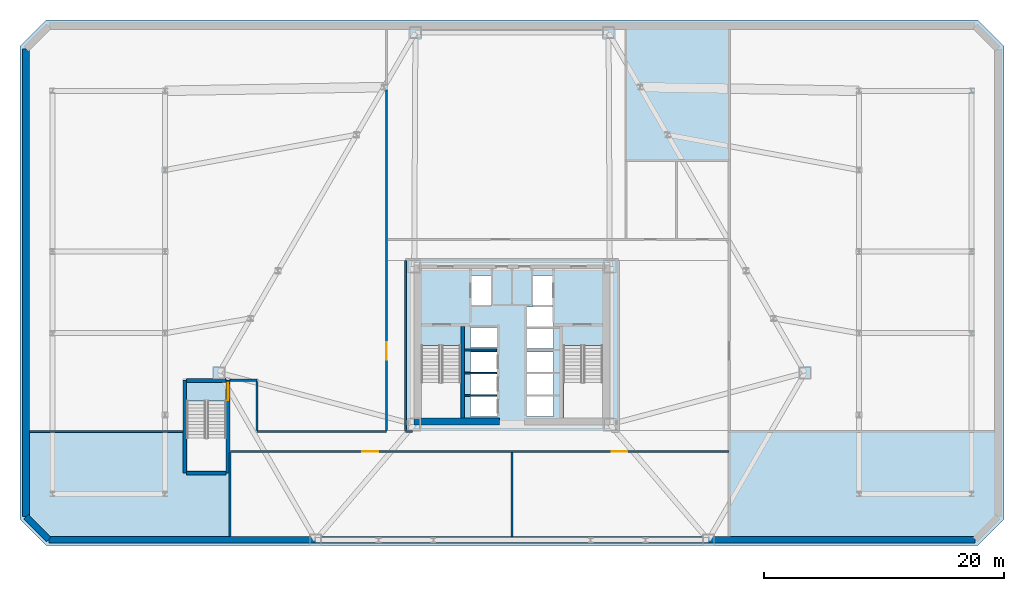
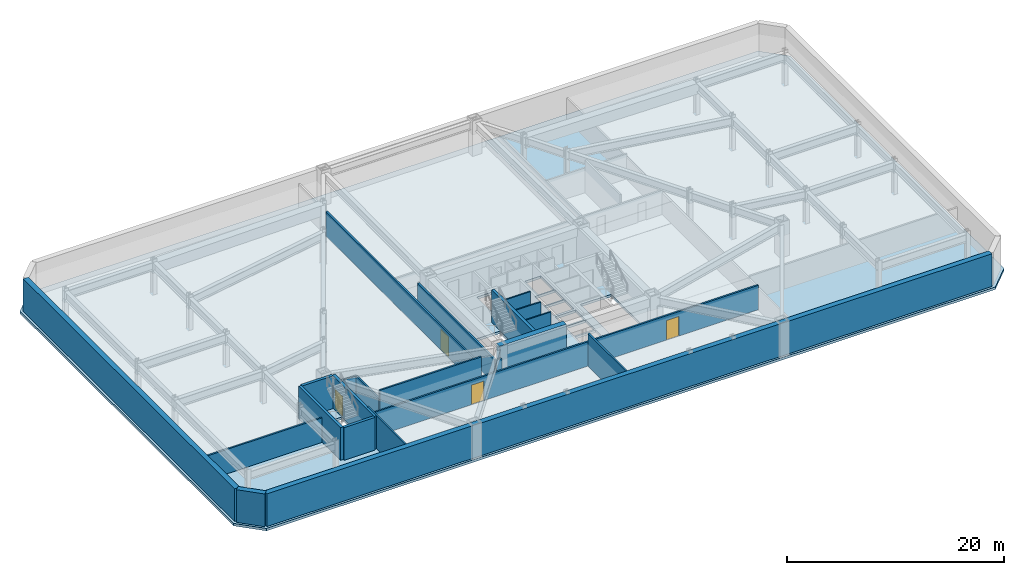
# One storey, part 4 of 10: 22 walls, 4 doors, 1 slab, 4 openings.
"""IFC4 building model written with IfcOpenShell, lengths in metres."""

from ifc_helpers import new_model, si_unit, direction, frame, frame_2d, origin, place, context, subcontext, project, spatial, polyline, rectangle, outline, extrude, material, layer, layer_set, type_object, element, fill, save


model = new_model("IFC4")

# Units and contexts
model_context = context("Model", 3, precision=1e-05, world=origin(), true_north=direction((0.0, 1.0)))
body_context = subcontext(model_context, "Body", "Model", "MODEL_VIEW")
ifc_project = project(units=[si_unit("LENGTHUNIT", "METRE"), si_unit("AREAUNIT", "SQUARE_METRE"), si_unit("VOLUMEUNIT", "CUBIC_METRE"), si_unit("PLANEANGLEUNIT", "RADIAN"), si_unit("MASSUNIT", "GRAM", prefix="KILO")], contexts=[model_context])

# Site, building, storey
site_placement = place(None, origin())
site = spatial("IfcSite", under=ifc_project, at=site_placement, CompositionType="ELEMENT")
building_placement = place(site_placement, origin())
building = spatial("IfcBuilding", under=site, at=building_placement, Name="Oramaril Tower", CompositionType="ELEMENT")
storey_placement = place(building_placement, frame((0.0, 0.0, -4.0)))
storey = spatial("IfcBuildingStorey", under=building, at=storey_placement, Name="B01", CompositionType="ELEMENT", Elevation=-4.0)

# Slab
ifc_material_1 = material(Name="Concrete C50/60", Category="concrete")
ifc_layer_1 = layer(ifc_material_1, 0.280029296875)
ifc_layer_set_1 = layer_set([ifc_layer_1], Name="SLT-POD28")
slab_type = type_object("IfcSlabType", Name="SLT-POD28", PredefinedType="FLOOR", material=ifc_layer_set_1)
slab_placement = place(storey_placement, frame((0.0, 0.0, -0.280029296875)))
element("IfcSlab", 1, at=slab_placement, inside=storey, type_object=slab_type, Name="B01 Structural Floor Slab", PredefinedType="FLOOR", context=body_context, shape_type="SweptSolid", body=[
    extrude(outline(polyline([(-1.300048828125, 0.89990234375), (76.300048828125, 0.89990234375), (78.5, 3.10009765625), (78.5, 42.5), (76.300048828125, 44.699951171875), (-1.300048828125, 44.699951171875), (-3.5, 42.5), (-3.5, 3.10009765625), (-1.300048828125, 0.89990234375)]), holes=[polyline([(29.949951171875, 17.58935546875), (29.949951171875, 11.550048828125), (33.219970703125, 11.550048828125), (33.219970703125, 17.58935546875), (29.949951171875, 17.58935546875)]), polyline([(41.780029296875, 17.58935546875), (41.780029296875, 11.550048828125), (45.050048828125, 11.550048828125), (45.050048828125, 17.58935546875), (41.780029296875, 17.58935546875)]), polyline([(10.39990234375, 12.939453125), (10.39990234375, 7.10009765625), (13.669921875, 7.10009765625), (13.669921875, 12.939453125), (10.39990234375, 12.939453125)]), polyline([(34.110107421875, 20.909912109375), (35.7900390625, 20.909912109375), (35.7900390625, 23.389892578125), (34.110107421875, 23.389892578125), (34.110107421875, 20.909912109375)]), polyline([(39.2099609375, 20.909912109375), (40.889892578125, 20.909912109375), (40.889892578125, 23.389892578125), (39.2099609375, 23.389892578125), (39.2099609375, 20.909912109375)]), polyline([(34.06005859375, 11.659912109375), (36.239990234375, 11.659912109375), (36.239990234375, 13.340087890625), (34.06005859375, 13.340087890625), (34.06005859375, 11.659912109375)]), polyline([(34.06005859375, 13.510009765625), (36.239990234375, 13.510009765625), (36.239990234375, 15.18994140625), (34.06005859375, 15.18994140625), (34.06005859375, 13.510009765625)]), polyline([(34.06005859375, 15.360107421875), (36.239990234375, 15.360107421875), (36.239990234375, 17.0400390625), (34.06005859375, 17.0400390625), (34.06005859375, 15.360107421875)]), polyline([(38.760009765625, 11.659912109375), (40.93994140625, 11.659912109375), (40.93994140625, 13.340087890625), (38.760009765625, 13.340087890625), (38.760009765625, 11.659912109375)]), polyline([(38.760009765625, 13.510009765625), (40.93994140625, 13.510009765625), (40.93994140625, 15.18994140625), (38.760009765625, 15.18994140625), (38.760009765625, 13.510009765625)]), polyline([(38.760009765625, 15.360107421875), (40.93994140625, 15.360107421875), (40.93994140625, 17.0400390625), (38.760009765625, 17.0400390625), (38.760009765625, 15.360107421875)]), polyline([(34.06005859375, 17.409912109375), (36.239990234375, 17.409912109375), (36.239990234375, 19.090087890625), (34.06005859375, 19.090087890625), (34.06005859375, 17.409912109375)]), polyline([(38.760009765625, 17.31005859375), (40.93994140625, 17.31005859375), (40.93994140625, 18.989990234375), (38.760009765625, 18.989990234375), (38.760009765625, 17.31005859375)]), polyline([(38.760009765625, 19.110107421875), (40.93994140625, 19.110107421875), (40.93994140625, 20.7900390625), (38.760009765625, 20.7900390625), (38.760009765625, 19.110107421875)])]), origin(), (0.0, 0.0, 1.0), 0.280029296875),
])

# Walls
ifc_material_2 = material(Name="Acoustic Gypsum Board Partition")
ifc_layer_2 = layer(ifc_material_2, 0.139892578125)
ifc_layer_set_2 = layer_set([ifc_layer_2], Name="WT-PT14")
wall_type_1 = type_object("IfcWallType", Name="WT-PT14", PredefinedType="PARTITIONING", material=ifc_layer_set_2)
for number, where, z_axis, x_axis, name in (
    (2, (33.56005859375, 13.419921875, 0.0), (0.0, 0.0, 1.0), (1.0, 0.0, 0.0), "B01 West Lift Divider"),
    (3, (33.56005859375, 15.27001953125, 0.0), (0.0, 0.0, 1.0), (1.0, 0.0, 0.0), "B01 West Lift Divider"),
    (4, (33.56005859375, 17.199951171875, 0.0), (0.0, 0.0, 1.0), (1.0, 0.0, 0.0), "B01 West Lift Divider"),
):
    element("IfcWall", number, at=place(storey_placement, frame(where, z_axis=z_axis, x_axis=x_axis)), inside=storey, type_object=wall_type_1, Name=name, PredefinedType="PARTITIONING", context=body_context, shape_type="SweptSolid", body=[
        extrude(rectangle(XDim=2.659912109375, YDim=0.139892578125, at=frame_2d((1.330078125, 0.0))), origin(), (0.0, 0.0, 1.0), 3.679931640625),
    ])

# Wall, openings, doors
ifc_material_3 = material(Name="Autoclaved Cellular Concrete Block", Category="concrete")
ifc_layer_3 = layer(ifc_material_3, 0.179931640625)
ifc_layer_set_3 = layer_set([ifc_layer_3], Name="WT-PT18")
wall_type_2 = type_object("IfcWallType", Name="WT-PT18", PredefinedType="PARTITIONING", material=ifc_layer_set_3)
wall_1_placement = place(storey_placement, frame((14.030029296875, 8.75, 0.0), z_axis=(0.0, 0.0, 1.0), x_axis=(1.0, 0.0, 0.0)))
wall_1 = element("IfcWall", 5, at=wall_1_placement, inside=storey, type_object=wall_type_2, Name="B01 Interior Partition PT-18", PredefinedType="PARTITIONING", context=body_context, shape_type="SweptSolid", body=[
    extrude(rectangle(XDim=41.570068359375, YDim=0.179931640625, at=frame_2d((20.78515625, 0.0))), origin(), (0.0, 0.0, 1.0), 2.742919921875),
])
opening_1_placement = place(wall_1_placement, frame((11.01123046875, 0.0, 0.0)))
opening_1 = element("IfcOpeningElement", 6, at=opening_1_placement, cuts=wall_1, Name="Opening D-B01-01", PredefinedType="OPENING", context=body_context, shape_type="SweptSolid", body=[
    extrude(rectangle(XDim=1.300048828125, YDim=2.199951171875, at=frame_2d((0.64990234375, 1.10009765625))), frame((0.0, 0.08984375, 0.0), z_axis=(0.0, -1.0, 0.0), x_axis=(1.0, 0.0, 0.0)), (0.0, 0.0, 1.0), 0.179931640625),
])
opening_2_placement = place(wall_1_placement, frame((31.769287109375, 0.0, 0.0)))
opening_2 = element("IfcOpeningElement", 7, at=opening_2_placement, cuts=wall_1, Name="Opening D-B01-02", PredefinedType="OPENING", context=body_context, shape_type="SweptSolid", body=[
    extrude(rectangle(XDim=1.300048828125, YDim=2.199951171875, at=frame_2d((0.64990234375, 1.10009765625))), frame((0.0, 0.08984375, 0.0), z_axis=(0.0, -1.0, 0.0), x_axis=(1.0, 0.0, 0.0)), (0.0, 0.0, 1.0), 0.179931640625),
])
ifc_material_4 = material(Name="FSC Brazilian Freijo Hardwood", Category="wood")
door_type_1 = type_object("IfcDoorType", Name="DT-COM", OperationType="NOTDEFINED", PredefinedType="DOOR", material=ifc_material_4)
door_1_placement = place(opening_1_placement, origin())
door_1 = element("IfcDoor", 8, at=door_1_placement, inside=storey, type_object=door_type_1, Name="B01 B01 Resident Bicycle Store Door D-B01-01", OperationType="SINGLE_SWING_LEFT", OverallHeight=2.199951171875, OverallWidth=1.300048828125, PredefinedType="DOOR", context=body_context, shape_type="SweptSolid", body=[
    extrude(rectangle(XDim=1.300048828125, YDim=2.199951171875, at=frame_2d((0.64990234375, 1.10009765625))), frame((0.0, 0.02490234375, 0.0), z_axis=(0.0, -1.0, 0.0), x_axis=(1.0, 0.0, 0.0)), (0.0, 0.0, 1.0), 0.050048828125),
])
fill(opening_1, door_1)
door_2_placement = place(opening_2_placement, origin())
door_2 = element("IfcDoor", 9, at=door_2_placement, inside=storey, type_object=door_type_1, Name="B01 B01 Resident Storage Lockers Door D-B01-02", OperationType="SINGLE_SWING_RIGHT", OverallHeight=2.199951171875, OverallWidth=1.300048828125, PredefinedType="DOOR", context=body_context, shape_type="SweptSolid", body=[
    extrude(rectangle(XDim=1.300048828125, YDim=2.199951171875, at=frame_2d((0.64990234375, 1.10009765625))), frame((0.0, 0.02490234375, 0.0), z_axis=(0.0, -1.0, 0.0), x_axis=(1.0, 0.0, 0.0)), (0.0, 0.0, 1.0), 0.050048828125),
])
fill(opening_2, door_2)

# Walls
wall_2_placement = place(storey_placement, frame((-2.720947265625, 10.39990234375, 0.0), z_axis=(0.0, 0.0, 1.0), x_axis=(1.0, 0.0, 0.0)))
element("IfcWall", 10, at=wall_2_placement, inside=storey, type_object=wall_type_2, Name="B01 Interior Partition PT-18", PredefinedType="PARTITIONING", context=body_context, shape_type="SweptSolid", body=[
    extrude(rectangle(XDim=12.801025390625, YDim=0.179931640625, at=frame_2d((6.400390625, 0.0))), origin(), (0.0, 0.0, 1.0), 2.742919921875),
])
wall_3_placement = place(storey_placement, frame((16.25, 10.39990234375, 0.0), z_axis=(0.0, 0.0, 1.0), x_axis=(1.0, 0.0, 0.0)))
element("IfcWall", 11, at=wall_3_placement, inside=storey, type_object=wall_type_2, Name="B01 Interior Partition PT-18", PredefinedType="PARTITIONING", context=body_context, shape_type="SweptSolid", body=[
    extrude(rectangle(XDim=10.800048828125, YDim=0.179931640625, at=frame_2d((5.39990234375, 0.0))), origin(), (0.0, 0.0, 1.0), 3.679931640625),
])
wall_4_placement = place(storey_placement, frame((28.6201171875, 10.39990234375, 0.0), z_axis=(0.0, 0.0, 1.0), x_axis=(1.0, 0.0, 0.0)))
element("IfcWall", 12, at=wall_4_placement, inside=storey, type_object=wall_type_2, Name="B01 Interior Partition PT-18", PredefinedType="PARTITIONING", context=body_context, shape_type="SweptSolid", body=[
    extrude(rectangle(XDim=0.579833984375, YDim=0.179931640625, at=frame_2d((0.2900390625, 0.0))), origin(), (0.0, 0.0, 1.0), 2.742919921875),
])
wall_5_placement = place(storey_placement, frame((13.989990234375, 14.679931640625, 0.0), z_axis=(0.0, 0.0, 1.0), x_axis=(1.0, 0.0, 0.0)))
element("IfcWall", 13, at=wall_5_placement, inside=storey, type_object=wall_type_2, Name="B01 Interior Partition PT-18", PredefinedType="PARTITIONING", context=body_context, shape_type="SweptSolid", body=[
    extrude(rectangle(XDim=2.260009765625, YDim=0.179931640625, at=frame_2d((1.1298828125, 0.0))), origin(), (0.0, 0.0, 1.0), 2.742919921875),
])
wall_6_placement = place(storey_placement, frame((14.0, 1.678955078125, 0.0), z_axis=(0.0, 0.0, 1.0), x_axis=(0.0, 1.0, 0.0)))
element("IfcWall", 14, at=wall_6_placement, inside=storey, type_object=wall_type_2, Name="B01 Interior Partition PT-18", PredefinedType="PARTITIONING", context=body_context, shape_type="SweptSolid", body=[
    extrude(rectangle(XDim=6.97705078125, YDim=0.179931640625, at=frame_2d((3.488525390625, 0.0))), origin(), (0.0, 0.0, 1.0), 3.679931640625),
])
wall_7_placement = place(storey_placement, frame((16.25, 10.493896484375, 0.0), z_axis=(0.0, 0.0, 1.0), x_axis=(0.0, 1.0, 0.0)))
element("IfcWall", 15, at=wall_7_placement, inside=storey, type_object=wall_type_2, Name="B01 Interior Partition PT-18", PredefinedType="PARTITIONING", context=body_context, shape_type="SweptSolid", body=[
    extrude(rectangle(XDim=4.092041015625, YDim=0.179931640625, at=frame_2d((2.0458984375, 0.0))), origin(), (0.0, 0.0, 1.0), 2.742919921875),
])

# Wall, opening, door
wall_8_placement = place(storey_placement, frame((27.050048828125, 10.493896484375, 0.0), z_axis=(0.0, 0.0, 1.0), x_axis=(0.0, 1.0, 0.0)))
wall_8 = element("IfcWall", 16, at=wall_8_placement, inside=storey, type_object=wall_type_2, Name="B01 Interior Partition PT-18", PredefinedType="PARTITIONING", context=body_context, shape_type="SweptSolid", body=[
    extrude(rectangle(XDim=28.3857421875, YDim=0.179931640625, at=frame_2d((14.19287109375, 0.0))), origin(), (0.0, 0.0, 1.0), 2.742919921875),
])
opening_3_placement = place(wall_8_placement, frame((5.910400390625, 0.0, 0.0)))
opening_3 = element("IfcOpeningElement", 17, at=opening_3_placement, cuts=wall_8, Name="Opening D-B01-06", PredefinedType="OPENING", context=body_context, shape_type="SweptSolid", body=[
    extrude(rectangle(XDim=1.449951171875, YDim=2.25, at=frame_2d((0.72509765625, 1.125))), frame((0.0, 0.08984375, 0.0), z_axis=(0.0, -1.0, 0.0), x_axis=(1.0, 0.0, 0.0)), (0.0, 0.0, 1.0), 0.179931640625),
])
ifc_material_5 = material(Name="Painted Galvanised Steel", Category="steel")
door_type_2 = type_object("IfcDoorType", Name="DT-PLT", OperationType="NOTDEFINED", PredefinedType="DOOR", material=ifc_material_5)
door_3_placement = place(opening_3_placement, origin())
door_3 = element("IfcDoor", 18, at=door_3_placement, inside=storey, type_object=door_type_2, Name="B01 B01 Substructure Chiller Plant Room Door D-B01-06", OperationType="SINGLE_SWING_RIGHT", OverallHeight=2.25, OverallWidth=1.449951171875, PredefinedType="DOOR", context=body_context, shape_type="SweptSolid", body=[
    extrude(rectangle(XDim=1.449951171875, YDim=2.25, at=frame_2d((0.72509765625, 1.125))), frame((0.0, 0.02490234375, 0.0), z_axis=(0.0, -1.0, 0.0), x_axis=(1.0, 0.0, 0.0)), (0.0, 0.0, 1.0), 0.050048828125),
])
fill(opening_3, door_3)

# Walls
wall_9_placement = place(storey_placement, frame((28.6201171875, 10.493896484375, 0.0), z_axis=(0.0, 0.0, 1.0), x_axis=(0.0, 1.0, 0.0)))
element("IfcWall", 19, at=wall_9_placement, inside=storey, type_object=wall_type_2, Name="B01 Interior Partition PT-18", PredefinedType="PARTITIONING", context=body_context, shape_type="SweptSolid", body=[
    extrude(rectangle(XDim=14.162109375, YDim=0.179931640625, at=frame_2d((7.0810546875, 0.0))), origin(), (0.0, 0.0, 1.0), 2.742919921875),
])
wall_10_placement = place(storey_placement, frame((37.5, 1.678955078125, 0.0), z_axis=(0.0, 0.0, 1.0), x_axis=(0.0, 1.0, 0.0)))
element("IfcWall", 20, at=wall_10_placement, inside=storey, type_object=wall_type_2, Name="B01 Interior Partition PT-18", PredefinedType="PARTITIONING", context=body_context, shape_type="SweptSolid", body=[
    extrude(rectangle(XDim=6.97705078125, YDim=0.179931640625, at=frame_2d((3.488525390625, 0.0))), origin(), (0.0, 0.0, 1.0), 3.679931640625),
])
ifc_material_6 = material(Name="Concrete C50/60", Category="concrete")
ifc_layer_4 = layer(ifc_material_6, 0.550048828125)
ifc_layer_set_4 = layer_set([ifc_layer_4], Name="WT-RET55")
wall_type_3 = type_object("IfcWallType", Name="WT-RET55", PredefinedType="USERDEFINED", material=ifc_layer_set_4)
wall_11_placement = place(storey_placement, frame((-1.093017578125, 1.39990234375, 0.0), z_axis=(0.0, 0.0, 1.0), x_axis=(1.0, 0.0, 0.0)))
element("IfcWall", 21, at=wall_11_placement, inside=storey, type_object=wall_type_3, Name="B01 Perimeter Retaining Wall RW-01", ObjectType="RETAININGWALL", PredefinedType="USERDEFINED", context=body_context, shape_type="SweptSolid", body=[
    extrude(rectangle(XDim=77.18603515625, YDim=0.550048828125, at=frame_2d((38.593017578125, 0.0))), origin(), (0.0, 0.0, 1.0), 3.679931640625),
])
wall_12_placement = place(storey_placement, frame((-3.0, 42.29296875, 0.0), z_axis=(0.0, 0.0, 1.0), x_axis=(0.0, -1.0, 0.0)))
element("IfcWall", 22, at=wall_12_placement, inside=storey, type_object=wall_type_3, Name="B01 Perimeter Retaining Wall RW-07", ObjectType="RETAININGWALL", PredefinedType="USERDEFINED", context=body_context, shape_type="SweptSolid", body=[
    extrude(rectangle(XDim=38.98583984375, YDim=0.550048828125, at=frame_2d((19.492919921875, 0.0))), origin(), (0.0, 0.0, 1.0), 3.679931640625),
])
wall_13_placement = place(storey_placement, frame((-3.0, 3.30712890625, 0.0), z_axis=(0.0, 0.0, 1.0), x_axis=(0.707061519111, -0.707152040365, 0.0)))
element("IfcWall", 23, at=wall_13_placement, inside=storey, type_object=wall_type_3, Name="B01 Perimeter Retaining Wall RW-08", ObjectType="RETAININGWALL", PredefinedType="USERDEFINED", context=body_context, shape_type="SweptSolid", body=[
    extrude(rectangle(XDim=2.697021484375, YDim=0.550048828125, at=frame_2d((1.3486328125, 0.0))), origin(), (0.0, 0.0, 1.0), 3.679931640625),
])
ifc_material_7 = material(Name="Concrete C50/60", Category="concrete")
ifc_layer_5 = layer(ifc_material_7, 0.300048828125)
ifc_layer_set_5 = layer_set([ifc_layer_5], Name="WT-SH30")
wall_type_4 = type_object("IfcWallType", Name="WT-SH30", PredefinedType="SHEAR", material=ifc_layer_set_5)
wall_14_placement = place(storey_placement, frame((33.3798828125, 11.5400390625, 0.0), z_axis=(0.0, 0.0, 1.0), x_axis=(0.0, 1.0, 0.0)))
element("IfcWall", 24, at=wall_14_placement, inside=storey, type_object=wall_type_4, Name="B01 Core Shear Wall CW-ST1E", PredefinedType="SHEAR", context=body_context, shape_type="SweptSolid", body=[
    extrude(rectangle(XDim=7.619873046875, YDim=0.300048828125, at=frame_2d((3.81005859375, 0.0))), origin(), (0.0, 0.0, 1.0), 3.679931640625),
])
wall_15_placement = place(storey_placement, frame((10.239990234375, 6.93994140625, 0.0), z_axis=(0.0, 0.0, 1.0), x_axis=(0.0, 1.0, 0.0)))
element("IfcWall", 25, at=wall_15_placement, inside=storey, type_object=wall_type_4, Name="B01 Stair ST-3 Shear Wall ST3W", PredefinedType="SHEAR", context=body_context, shape_type="SweptSolid", body=[
    extrude(rectangle(XDim=7.719970703125, YDim=0.300048828125, at=frame_2d((3.85986328125, 0.0))), origin(), (0.0, 0.0, 1.0), 3.679931640625),
])

# Wall, opening, door
wall_16_placement = place(storey_placement, frame((13.830078125, 6.93994140625, 0.0), z_axis=(0.0, 0.0, 1.0), x_axis=(0.0, 1.0, 0.0)))
wall_16 = element("IfcWall", 26, at=wall_16_placement, inside=storey, type_object=wall_type_4, Name="B01 Stair ST-3 Shear Wall ST3E", PredefinedType="SHEAR", context=body_context, shape_type="SweptSolid", body=[
    extrude(rectangle(XDim=7.719970703125, YDim=0.300048828125, at=frame_2d((3.85986328125, 0.0))), origin(), (0.0, 0.0, 1.0), 3.679931640625),
])
opening_4_placement = place(wall_16_placement, frame((6.080078125, 0.0, 0.0)))
opening_4 = element("IfcOpeningElement", 27, at=opening_4_placement, cuts=wall_16, Name="Opening D-B01-ST3", PredefinedType="OPENING", context=body_context, shape_type="SweptSolid", body=[
    extrude(rectangle(XDim=1.39990234375, YDim=2.199951171875, at=frame_2d((0.699951171875, 1.10009765625))), frame((0.0, 0.14990234375, 0.0), z_axis=(0.0, -1.0, 0.0), x_axis=(1.0, 0.0, 0.0)), (0.0, 0.0, 1.0), 0.300048828125),
])
ifc_material_8 = material(Name="Painted Galvanised Steel", Category="steel")
door_type_3 = type_object("IfcDoorType", Name="DT-ST", OperationType="NOTDEFINED", PredefinedType="DOOR", material=ifc_material_8)
door_4_placement = place(opening_4_placement, origin())
door_4 = element("IfcDoor", 28, at=door_4_placement, inside=storey, type_object=door_type_3, Name="B01 Stair ST-3 Protected Door", OperationType="SINGLE_SWING_RIGHT", OverallHeight=2.199951171875, OverallWidth=1.39990234375, PredefinedType="DOOR", context=body_context, shape_type="SweptSolid", body=[
    extrude(rectangle(XDim=1.39990234375, YDim=2.199951171875, at=frame_2d((0.699951171875, 1.10009765625))), frame((0.0, 0.02490234375, 0.0), z_axis=(0.0, -1.0, 0.0), x_axis=(1.0, 0.0, 0.0)), (0.0, 0.0, 1.0), 0.050048828125),
])
fill(opening_4, door_4)

# Walls
for number, where, z_axis, x_axis, name in (
    (29, (10.389892578125, 6.93994140625, 0.0), (0.0, 0.0, 1.0), (1.0, 0.0, 0.0), "B01 Stair ST-3 Shear Wall ST3S"),
    (30, (10.389892578125, 14.659912109375, 0.0), (0.0, 0.0, 1.0), (1.0, 0.0, 0.0), "B01 Stair ST-3 Shear Wall ST3N"),
):
    element("IfcWall", number, at=place(storey_placement, frame(where, z_axis=z_axis, x_axis=x_axis)), inside=storey, type_object=wall_type_4, Name=name, PredefinedType="SHEAR", context=body_context, shape_type="SweptSolid", body=[
        extrude(rectangle(XDim=3.2900390625, YDim=0.300048828125, at=frame_2d((1.64501953125, 0.0))), origin(), (0.0, 0.0, 1.0), 3.679931640625),
    ])
ifc_material_9 = material(Name="Concrete C50/60", Category="concrete")
ifc_layer_6 = layer(ifc_material_9, 0.60009765625)
ifc_layer_set_6 = layer_set([ifc_layer_6], Name="WT-SH60")
wall_type_5 = type_object("IfcWallType", Name="WT-SH60", PredefinedType="SHEAR", material=ifc_layer_set_6)
wall_17_placement = place(storey_placement, frame((29.35009765625, 11.239990234375, 0.0), z_axis=(0.0, 0.0, 1.0), x_axis=(1.0, 0.0, 0.0)))
element("IfcWall", 31, at=wall_17_placement, inside=storey, type_object=wall_type_5, Name="B01 Core Shear Wall CW-SW", PredefinedType="SHEAR", context=body_context, shape_type="SweptSolid", body=[
    extrude(rectangle(XDim=7.099853515625, YDim=0.60009765625, at=frame_2d((3.5498046875, 0.0))), origin(), (0.0, 0.0, 1.0), 3.679931640625),
])

save(model, "model.ifc")
